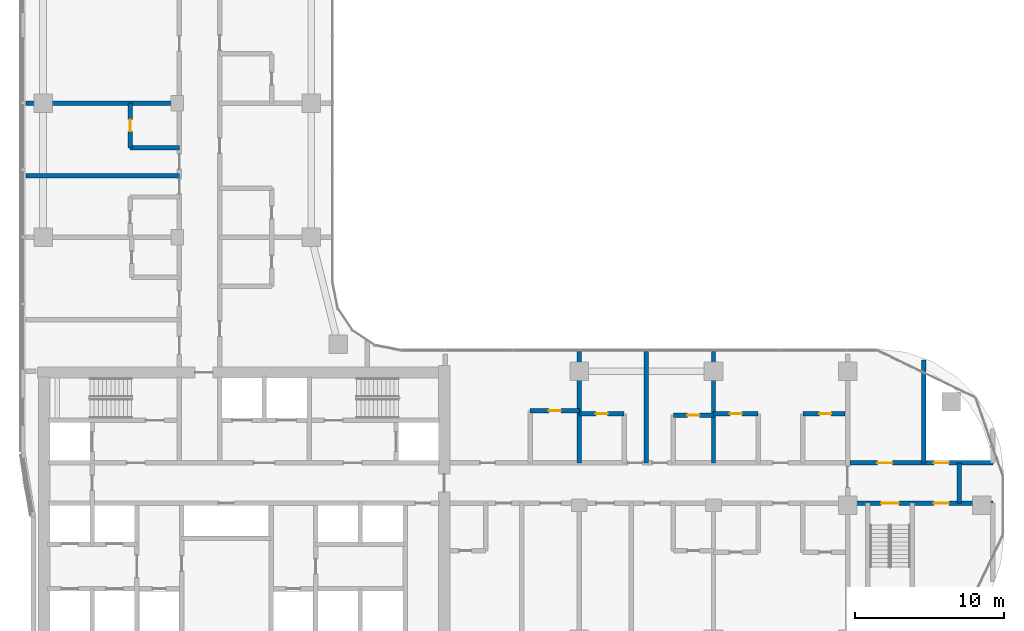
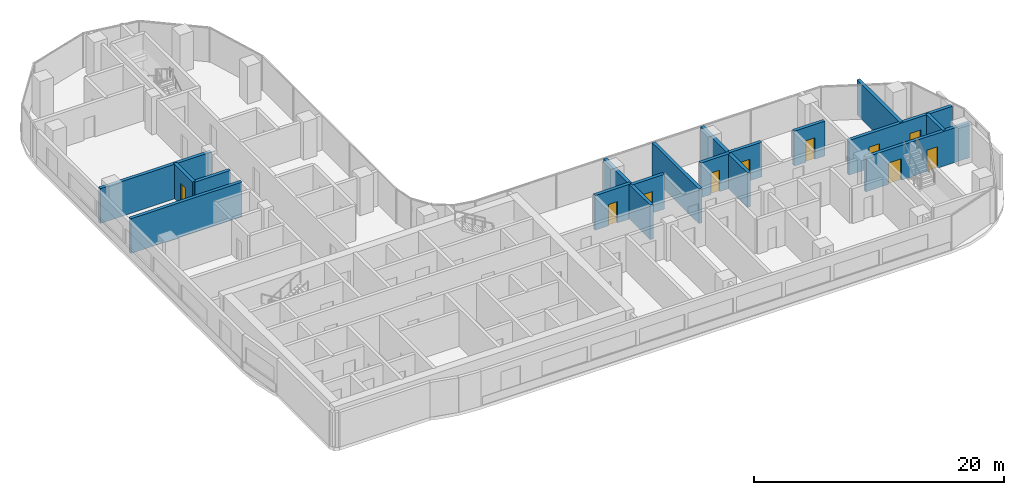
# One storey, part 12 of 22: 16 walls, 10 doors, 10 openings.
"""IFC4 building model written with IfcOpenShell, lengths in metres."""

import ifcopenshell
import ifcopenshell.guid

model = None  # the IFC model being written
_history = None  # IfcOwnerHistory: only IFC2X3 demands one
_inside = {}  # id of a spatial element -> (the spatial element, [elements in it])
_under = {}  # id of a project, library or spatial element -> (it, [spatial elements below it])
_declared = {}  # id of a project -> (the project, [libraries it declares])
_typed = {}  # id of a type object -> (the type object, [elements of that type])
_made_of = {}  # id of a material, layer set ... -> (it, [elements and type objects made of it])


def new_model(schema):
    """Start an empty IFC model of exactly this schema.

    Asked for "IFC4X3", IfcOpenShell would pick the latest addendum, in which some entities
    have other attributes; the version numbers below select the first issue.
    IFC2X3 requires an IfcOwnerHistory on every rooted entity: one is made here for all.
    """
    global model, _history
    if schema == "IFC4X3":
        model = ifcopenshell.file(schema_version=(4, 3, 0, 0))
    else:
        model = ifcopenshell.file(schema=schema)
    _inside.clear()
    _under.clear()
    _declared.clear()
    _typed.clear()
    _made_of.clear()
    _history = None
    if model.schema == "IFC2X3":
        org = make("IfcOrganization", Name="unknown")
        user = make(
            "IfcPersonAndOrganization",
            ThePerson=make("IfcPerson", FamilyName="unknown"),
            TheOrganization=org,
        )
        app = make(
            "IfcApplication",
            ApplicationDeveloper=org,
            Version="unknown",
            ApplicationFullName="unknown",
            ApplicationIdentifier="unknown",
        )
        _history = make(
            "IfcOwnerHistory",
            OwningUser=user,
            OwningApplication=app,
            ChangeAction="ADDED",
            CreationDate=0,
        )
    return model


def make(cls, **values):
    """One entity of the class cls with the attributes given. An attribute that is None is left unset."""
    return model.create_entity(
        cls, **{name: value for name, value in values.items() if value is not None}
    )


def rooted(cls, **values):
    """An entity with a GlobalId (a new one), such as an element, a storey or a relation."""
    return make(cls, GlobalId=ifcopenshell.guid.new(), OwnerHistory=_history, **values)


def si_unit(unit_type, name, prefix=None):
    """IfcSIUnit, for example si_unit("LENGTHUNIT", "METRE", prefix="MILLI")."""
    return make("IfcSIUnit", UnitType=unit_type, Prefix=prefix, Name=name)


def assignment(units):
    """IfcUnitAssignment: the units of a project."""
    return None if units is None else make("IfcUnitAssignment", Units=units)


def point(xyz):
    """IfcCartesianPoint."""
    return None if xyz is None else make("IfcCartesianPoint", Coordinates=xyz)


def direction(xyz):
    """IfcDirection."""
    return None if xyz is None else make("IfcDirection", DirectionRatios=xyz)


def frame(location, z_axis=None, x_axis=None):
    """IfcAxis2Placement3D, a coordinate frame: its origin and axes. An axis left out is left unset."""
    return make(
        "IfcAxis2Placement3D",
        Location=point(location),
        Axis=direction(z_axis),
        RefDirection=direction(x_axis),
    )


def frame_2d(location, x_axis=None):
    """IfcAxis2Placement2D, a coordinate frame in the plane: its origin and x axis."""
    return make(
        "IfcAxis2Placement2D", Location=point(location), RefDirection=direction(x_axis)
    )


def origin():
    """The frame at (0, 0, 0) with its axes left unset."""
    return frame((0.0, 0.0, 0.0))


def place(relative_to, where):
    """IfcLocalPlacement: puts the frame where relative to a parent placement (None: the world)."""
    return make(
        "IfcLocalPlacement", PlacementRelTo=relative_to, RelativePlacement=where
    )


def context(
    kind, dimensions, precision=None, world=None, true_north=None, identifier=None
):
    """IfcGeometricRepresentationContext, for example the 3D "Model" context."""
    return make(
        "IfcGeometricRepresentationContext",
        ContextIdentifier=identifier,
        ContextType=kind,
        CoordinateSpaceDimension=dimensions,
        Precision=precision,
        WorldCoordinateSystem=world,
        TrueNorth=true_north,
    )


def subcontext(parent, identifier, kind, view, scale=None):
    """IfcGeometricRepresentationSubContext, for example "Body" below "Model"."""
    return make(
        "IfcGeometricRepresentationSubContext",
        ContextIdentifier=identifier,
        ContextType=kind,
        ParentContext=parent,
        TargetScale=scale,
        TargetView=view,
    )


def project(units=None, contexts=None):
    """IfcProject with its units and contexts."""
    return rooted(
        "IfcProject",
        Name="project",
        RepresentationContexts=contexts,
        UnitsInContext=assignment(units),
    )


def spatial(cls, under=None, at=None, **own):
    """A site, building, storey or space (cls), placed at a placement, below another one or the project."""
    s = rooted(cls, ObjectPlacement=at, **own)
    if under is not None:
        _under.setdefault(under.id(), (under, []))[1].append(s)
    return s


def profile(cls, at=None, kind="AREA", **sizes):
    """A parametric profile (cls). Its sizes go by their IFC names, for example OverallWidth=200.0."""
    return make(cls, ProfileType=kind, Position=at, **sizes)


def rectangle(**sizes):
    """IfcRectangleProfileDef."""
    return profile("IfcRectangleProfileDef", **sizes)


def extrude(swept, where, along, depth):
    """IfcExtrudedAreaSolid: the profile swept, set in the frame where, extruded along a direction by depth."""
    return make(
        "IfcExtrudedAreaSolid",
        SweptArea=swept,
        Position=where,
        ExtrudedDirection=direction(along),
        Depth=depth,
    )


def shape(context_of_items, identifier, shape_type, items):
    """IfcShapeRepresentation: the items that make up one representation, for example the "Body"."""
    return make(
        "IfcShapeRepresentation",
        ContextOfItems=context_of_items,
        RepresentationIdentifier=identifier,
        RepresentationType=shape_type,
        Items=items,
    )


def material(Name=None, Category=None):
    """IfcMaterial."""
    return make("IfcMaterial", Name=Name, Category=Category)


def layer(
    of_material, thickness, ventilated=None, Name=None, Category=None, Priority=None
):
    """IfcMaterialLayer: one layer of a wall or slab, of a material (None: an air gap)."""
    return make(
        "IfcMaterialLayer",
        Material=of_material,
        LayerThickness=thickness,
        IsVentilated=ventilated,
        Name=Name,
        Category=Category,
        Priority=Priority,
    )


def layer_set(layers, Name=None):
    """IfcMaterialLayerSet."""
    return make("IfcMaterialLayerSet", MaterialLayers=layers, LayerSetName=Name)


def made_of(thing, what):
    """Note that an element or type object is made of a material, layer set ...; save() writes the relation."""
    if what is not None:
        _made_of.setdefault(what.id(), (what, []))[1].append(thing)
    return thing


def type_object(cls, material=None, **own):
    """A type object (cls), such as IfcWallType, which elements share."""
    return made_of(rooted(cls, **own), material)


def element(
    cls,
    number,
    at=None,
    inside=None,
    cuts=None,
    type_object=None,
    material=None,
    context=None,
    identifier="Body",
    shape_type=None,
    held_by="IfcProductDefinitionShape",
    body=None,
    shapes=None,
    **own,
):
    """One element of the class cls, such as IfcWall. Its Tag is "e" and its number.

    at: its placement. inside: the storey or other place that contains it. cuts: it is an
    opening in that element (IfcRelVoidsElement). A single representation is given by context,
    identifier, shape_type and body (its items); several are given by shapes. held_by: the class
    of the entity that holds the representations. save() writes the other relations.
    """
    e = rooted(cls, Tag="e%d" % number, ObjectPlacement=at, **own)
    if body is not None:
        shapes = [shape(context, identifier, shape_type, body)]
    if shapes is not None:
        e.Representation = make(held_by, Representations=shapes)
    if inside is not None:
        _inside.setdefault(inside.id(), (inside, []))[1].append(e)
    if cuts is not None:
        rooted(
            "IfcRelVoidsElement", RelatingBuildingElement=cuts, RelatedOpeningElement=e
        )
    if type_object is not None:
        _typed.setdefault(type_object.id(), (type_object, []))[1].append(e)
    return made_of(e, material)


def fill(opening, filler):
    """IfcRelFillsElement: the door or window that sits in an opening."""
    return rooted(
        "IfcRelFillsElement",
        RelatingOpeningElement=opening,
        RelatedBuildingElement=filler,
    )


def aggregate(whole, parts):
    """IfcRelAggregates: a whole, such as a stair, and the parts it consists of."""
    return rooted("IfcRelAggregates", RelatingObject=whole, RelatedObjects=parts)


def save(model, path):
    """Write the relations noted so far, then the file.

    IfcRelAggregates (storeys below a building ...), IfcRelContainedInSpatialStructure (elements
    in a storey), IfcRelDefinesByType, IfcRelAssociatesMaterial and IfcRelDeclares: one each for
    every whole, place, type object, material and project.
    """
    for whole, parts in _under.values():
        aggregate(whole, parts)
    for where, things in _inside.values():
        rooted(
            "IfcRelContainedInSpatialStructure",
            RelatedElements=things,
            RelatingStructure=where,
        )
    for kind, things in _typed.values():
        rooted("IfcRelDefinesByType", RelatedObjects=things, RelatingType=kind)
    for what, things in _made_of.values():
        rooted("IfcRelAssociatesMaterial", RelatedObjects=things, RelatingMaterial=what)
    for by, libraries in _declared.values():
        rooted("IfcRelDeclares", RelatingContext=by, RelatedDefinitions=libraries)
    model.write(path)


model = new_model("IFC4")

# Units and contexts
model_context = context("Model", 3, precision=1e-05, world=origin(), true_north=direction((0.0, 1.0)))
body_context = subcontext(model_context, "Body", "Model", "MODEL_VIEW")
ifc_project = project(units=[si_unit("LENGTHUNIT", "METRE"), si_unit("AREAUNIT", "SQUARE_METRE"), si_unit("VOLUMEUNIT", "CUBIC_METRE"), si_unit("PLANEANGLEUNIT", "RADIAN"), si_unit("MASSUNIT", "GRAM", prefix="KILO")], contexts=[model_context])

# Site, building, storey
site_placement = place(None, origin())
site = spatial("IfcSite", under=ifc_project, at=site_placement, CompositionType="ELEMENT")
building_placement = place(site_placement, origin())
building = spatial("IfcBuilding", under=site, at=building_placement, Name="Ogive Portal Towers", CompositionType="ELEMENT")
storey_placement = place(building_placement, frame((0.0, 0.0, 113.0)))
storey = spatial("IfcBuildingStorey", under=building, at=storey_placement, Name="L27", CompositionType="ELEMENT", Elevation=113.0)

# Wall, openings, doors
ifc_material_1 = material(Name="Concrete C50/60", Category="concrete")
ifc_layer_1 = layer(ifc_material_1, 0.300048828125)
ifc_layer_set_1 = layer_set([ifc_layer_1], Name="STAIR WALL 300 C50")
wall_type_1 = type_object("IfcWallType", Name="STAIR WALL 300 C50", PredefinedType="SHEAR", material=ifc_layer_set_1)
wall_1_placement = place(storey_placement, frame((85.669921875, 30.64990234375, 0.0), z_axis=(0.0, 0.0, 1.0), x_axis=(1.0, 0.0, 0.0)))
wall_1 = element("IfcWall", 1, at=wall_1_placement, inside=storey, type_object=wall_type_1, Name="Stair wall ST-A4 L27", PredefinedType="SHEAR", context=body_context, shape_type="SweptSolid", body=[
    extrude(rectangle(XDim=9.580078125, YDim=0.300048828125, at=frame_2d((4.7900390625, 0.0))), origin(), (0.0, 0.0, 1.0), 3.39990234375),
])
opening_1_placement = place(wall_1_placement, frame((2.080078125, 0.0, 0.0)))
opening_1 = element("IfcOpeningElement", 2, at=opening_1_placement, cuts=wall_1, Name="Opening D09-058", PredefinedType="OPENING", context=body_context, shape_type="SweptSolid", body=[
    extrude(rectangle(XDim=1.199951171875, YDim=2.10009765625, at=frame_2d((0.60009765625, 1.050048828125))), frame((0.0, 0.16015625, 0.0), z_axis=(0.0, -1.0, 0.0), x_axis=(1.0, 0.0, 0.0)), (0.0, 0.0, 1.0), 0.320068359375),
])
opening_2_placement = place(wall_1_placement, frame((5.6298828125, 0.0, 0.0)))
opening_2 = element("IfcOpeningElement", 3, at=opening_2_placement, cuts=wall_1, Name="Opening D09-061", PredefinedType="OPENING", context=body_context, shape_type="SweptSolid", body=[
    extrude(rectangle(XDim=1.0, YDim=2.10009765625, at=frame_2d((0.5, 1.050048828125))), frame((0.0, 0.16015625, 0.0), z_axis=(0.0, -1.0, 0.0), x_axis=(1.0, 0.0, 0.0)), (0.0, 0.0, 1.0), 0.320068359375),
])
ifc_material_2 = material(Name="Steel fire door", Category="steel")
door_type_1 = type_object("IfcDoorType", Name="DT-SERVICE-1000x2100-FD90S", OperationType="SINGLE_SWING_LEFT", PredefinedType="DOOR", material=ifc_material_2)
door_1_placement = place(opening_2_placement, origin())
door_1 = element("IfcDoor", 4, at=door_1_placement, inside=storey, type_object=door_type_1, Name="Door D09-061", OperationType="SINGLE_SWING_LEFT", OverallHeight=2.10009765625, OverallWidth=1.0, PredefinedType="DOOR", context=body_context, shape_type="SweptSolid", body=[
    extrude(rectangle(XDim=1.0, YDim=2.10009765625, at=frame_2d((0.5, 1.050048828125))), frame((0.0, 0.02490234375, 0.0), z_axis=(0.0, -1.0, 0.0), x_axis=(1.0, 0.0, 0.0)), (0.0, 0.0, 1.0), 0.050048828125),
])
fill(opening_2, door_1)
door_type_2 = type_object("IfcDoorType", Name="DT-STAIR-1200x2100-FD90S", OperationType="SINGLE_SWING_LEFT", PredefinedType="DOOR", material=ifc_material_2)
door_2_placement = place(opening_1_placement, origin())
door_2 = element("IfcDoor", 5, at=door_2_placement, inside=storey, type_object=door_type_2, Name="Door D09-058", OperationType="SINGLE_SWING_LEFT", OverallHeight=2.10009765625, OverallWidth=1.199951171875, PredefinedType="DOOR", context=body_context, shape_type="SweptSolid", body=[
    extrude(rectangle(XDim=1.199951171875, YDim=2.10009765625, at=frame_2d((0.60009765625, 1.050048828125))), frame((0.0, 0.02490234375, 0.0), z_axis=(0.0, -1.0, 0.0), x_axis=(1.0, 0.0, 0.0)), (0.0, 0.0, 1.0), 0.050048828125),
])
fill(opening_1, door_2)

ifc_material_3 = material(Name="Gypsum board partition on steel studs", Category="steel")
ifc_layer_2 = layer(ifc_material_3, 0.300048828125)
ifc_layer_set_2 = layer_set([ifc_layer_2], Name="WT-PART-300-EI 120")
wall_type_2 = type_object("IfcWallType", Name="WT-PART-300-EI 120", PredefinedType="PARTITIONING", material=ifc_layer_set_2)
wall_2_placement = place(storey_placement, frame((85.669921875, 33.35009765625, 0.0), z_axis=(0.0, 0.0, 1.0), x_axis=(1.0, 0.0, 0.0)))
wall_2 = element("IfcWall", 6, at=wall_2_placement, inside=storey, type_object=wall_type_2, Name="Wall L27:w009", PredefinedType="PARTITIONING", context=body_context, shape_type="SweptSolid", body=[
    extrude(rectangle(XDim=9.580078125, YDim=0.300048828125, at=frame_2d((4.7900390625, 0.0))), origin(), (0.0, 0.0, 1.0), 3.39990234375),
])
opening_3_placement = place(wall_2_placement, frame((1.830078125, 0.0, 0.0)))
opening_3 = element("IfcOpeningElement", 7, at=opening_3_placement, cuts=wall_2, Name="Opening D09-059", PredefinedType="OPENING", context=body_context, shape_type="SweptSolid", body=[
    extrude(rectangle(XDim=1.0, YDim=2.10009765625, at=frame_2d((0.5, 1.050048828125))), frame((0.0, 0.16015625, 0.0), z_axis=(0.0, -1.0, 0.0), x_axis=(1.0, 0.0, 0.0)), (0.0, 0.0, 1.0), 0.320068359375),
])
opening_4_placement = place(wall_2_placement, frame((5.6298828125, 0.0, 0.0)))
opening_4 = element("IfcOpeningElement", 8, at=opening_4_placement, cuts=wall_2, Name="Opening D09-060", PredefinedType="OPENING", context=body_context, shape_type="SweptSolid", body=[
    extrude(rectangle(XDim=1.0, YDim=2.10009765625, at=frame_2d((0.5, 1.050048828125))), frame((0.0, 0.16015625, 0.0), z_axis=(0.0, -1.0, 0.0), x_axis=(1.0, 0.0, 0.0)), (0.0, 0.0, 1.0), 0.320068359375),
])
door_3_placement = place(opening_3_placement, origin())
door_3 = element("IfcDoor", 9, at=door_3_placement, inside=storey, type_object=door_type_1, Name="Door D09-059", OperationType="SINGLE_SWING_LEFT", OverallHeight=2.10009765625, OverallWidth=1.0, PredefinedType="DOOR", context=body_context, shape_type="SweptSolid", body=[
    extrude(rectangle(XDim=1.0, YDim=2.10009765625, at=frame_2d((0.5, 1.050048828125))), frame((0.0, 0.02490234375, 0.0), z_axis=(0.0, -1.0, 0.0), x_axis=(1.0, 0.0, 0.0)), (0.0, 0.0, 1.0), 0.050048828125),
])
fill(opening_3, door_3)
door_4_placement = place(opening_4_placement, origin())
door_4 = element("IfcDoor", 10, at=door_4_placement, inside=storey, type_object=door_type_1, Name="Riser access door D09-060", OperationType="SINGLE_SWING_RIGHT", OverallHeight=2.10009765625, OverallWidth=1.0, PredefinedType="DOOR", context=body_context, shape_type="SweptSolid", body=[
    extrude(rectangle(XDim=1.0, YDim=2.10009765625, at=frame_2d((0.5, 1.050048828125))), frame((0.0, 0.02490234375, 0.0), z_axis=(0.0, -1.0, 0.0), x_axis=(1.0, 0.0, 0.0)), (0.0, 0.0, 1.0), 0.050048828125),
])
fill(opening_4, door_4)

# Wall
wall_3_placement = place(storey_placement, frame((93.0, 30.64990234375, 0.0), z_axis=(0.0, 0.0, 1.0), x_axis=(0.0, 1.0, 0.0)))
element("IfcWall", 11, at=wall_3_placement, inside=storey, type_object=wall_type_2, Name="Wall L27:w065", PredefinedType="PARTITIONING", context=body_context, shape_type="SweptSolid", body=[
    extrude(rectangle(XDim=2.7001953125, YDim=0.300048828125, at=frame_2d((1.35009765625, 0.0))), origin(), (0.0, 0.0, 1.0), 3.39990234375),
])

# Wall, opening, door
ifc_layer_3 = layer(ifc_material_3, 0.300048828125)
ifc_layer_set_3 = layer_set([ifc_layer_3], Name="WT-PART-300-EI 60")
wall_type_3 = type_object("IfcWallType", Name="WT-PART-300-EI 60", PredefinedType="PARTITIONING", material=ifc_layer_set_3)
wall_4_placement = place(storey_placement, frame((73.800048828125, 36.550048828125, 0.0), z_axis=(0.0, 0.0, 1.0), x_axis=(1.0, 0.0, 0.0)))
wall_4 = element("IfcWall", 12, at=wall_4_placement, inside=storey, type_object=wall_type_3, Name="Wall L27:w010", PredefinedType="PARTITIONING", context=body_context, shape_type="SweptSolid", body=[
    extrude(rectangle(XDim=2.699951171875, YDim=0.300048828125, at=frame_2d((1.35009765625, 0.0))), origin(), (0.0, 0.0, 1.0), 3.39990234375),
])
opening_5_placement = place(wall_4_placement, frame((0.949951171875, 0.0, 0.0)))
opening_5 = element("IfcOpeningElement", 13, at=opening_5_placement, cuts=wall_4, Name="Opening D09-031", PredefinedType="OPENING", context=body_context, shape_type="SweptSolid", body=[
    extrude(rectangle(XDim=0.800048828125, YDim=2.10009765625, at=frame_2d((0.39990234375, 1.050048828125))), frame((0.0, 0.16015625, 0.0), z_axis=(0.0, -1.0, 0.0), x_axis=(1.0, 0.0, 0.0)), (0.0, 0.0, 1.0), 0.320068359375),
])
door_type_3 = type_object("IfcDoorType", Name="DT-BATH-800x2100-FD60S", OperationType="SINGLE_SWING_LEFT", PredefinedType="DOOR", material=ifc_material_2)
door_5_placement = place(opening_5_placement, origin())
door_5 = element("IfcDoor", 14, at=door_5_placement, inside=storey, type_object=door_type_3, Name="Door D09-031", OperationType="SINGLE_SWING_RIGHT", OverallHeight=2.10009765625, OverallWidth=0.800048828125, PredefinedType="DOOR", context=body_context, shape_type="SweptSolid", body=[
    extrude(rectangle(XDim=0.800048828125, YDim=2.10009765625, at=frame_2d((0.39990234375, 1.050048828125))), frame((0.0, 0.02490234375, 0.0), z_axis=(0.0, -1.0, 0.0), x_axis=(1.0, 0.0, 0.0)), (0.0, 0.0, 1.0), 0.050048828125),
])
fill(opening_5, door_5)

wall_5_placement = place(storey_placement, frame((67.5, 36.64990234375, 0.0), z_axis=(0.0, 0.0, 1.0), x_axis=(1.0, 0.0, 0.0)))
wall_5 = element("IfcWall", 15, at=wall_5_placement, inside=storey, type_object=wall_type_3, Name="Wall L27:w011", PredefinedType="PARTITIONING", context=body_context, shape_type="SweptSolid", body=[
    extrude(rectangle(XDim=3.0, YDim=0.300048828125, at=frame_2d((1.5, 0.0))), origin(), (0.0, 0.0, 1.0), 3.39990234375),
])
opening_6_placement = place(wall_5_placement, frame((1.10009765625, 0.0, 0.0)))
opening_6 = element("IfcOpeningElement", 16, at=opening_6_placement, cuts=wall_5, Name="Opening D09-029", PredefinedType="OPENING", context=body_context, shape_type="SweptSolid", body=[
    extrude(rectangle(XDim=0.800048828125, YDim=2.10009765625, at=frame_2d((0.39990234375, 1.050048828125))), frame((0.0, 0.16015625, 0.0), z_axis=(0.0, -1.0, 0.0), x_axis=(1.0, 0.0, 0.0)), (0.0, 0.0, 1.0), 0.320068359375),
])
door_6_placement = place(opening_6_placement, origin())
door_6 = element("IfcDoor", 17, at=door_6_placement, inside=storey, type_object=door_type_3, Name="Door D09-029", OperationType="SINGLE_SWING_LEFT", OverallHeight=2.10009765625, OverallWidth=0.800048828125, PredefinedType="DOOR", context=body_context, shape_type="SweptSolid", body=[
    extrude(rectangle(XDim=0.800048828125, YDim=2.10009765625, at=frame_2d((0.39990234375, 1.050048828125))), frame((0.0, 0.02490234375, 0.0), z_axis=(0.0, -1.0, 0.0), x_axis=(1.0, 0.0, 0.0)), (0.0, 0.0, 1.0), 0.050048828125),
])
fill(opening_6, door_6)

wall_6_placement = place(storey_placement, frame((76.5, 36.64990234375, 0.0), z_axis=(0.0, 0.0, 1.0), x_axis=(1.0, 0.0, 0.0)))
wall_6 = element("IfcWall", 18, at=wall_6_placement, inside=storey, type_object=wall_type_3, Name="Wall L27:w012", PredefinedType="PARTITIONING", context=body_context, shape_type="SweptSolid", body=[
    extrude(rectangle(XDim=3.0, YDim=0.300048828125, at=frame_2d((1.5, 0.0))), origin(), (0.0, 0.0, 1.0), 3.39990234375),
])
opening_7_placement = place(wall_6_placement, frame((1.10009765625, 0.0, 0.0)))
opening_7 = element("IfcOpeningElement", 19, at=opening_7_placement, cuts=wall_6, Name="Opening D09-036", PredefinedType="OPENING", context=body_context, shape_type="SweptSolid", body=[
    extrude(rectangle(XDim=0.800048828125, YDim=2.10009765625, at=frame_2d((0.39990234375, 1.050048828125))), frame((0.0, 0.16015625, 0.0), z_axis=(0.0, -1.0, 0.0), x_axis=(1.0, 0.0, 0.0)), (0.0, 0.0, 1.0), 0.320068359375),
])
door_7_placement = place(opening_7_placement, origin())
door_7 = element("IfcDoor", 20, at=door_7_placement, inside=storey, type_object=door_type_3, Name="Door D09-036", OperationType="SINGLE_SWING_LEFT", OverallHeight=2.10009765625, OverallWidth=0.800048828125, PredefinedType="DOOR", context=body_context, shape_type="SweptSolid", body=[
    extrude(rectangle(XDim=0.800048828125, YDim=2.10009765625, at=frame_2d((0.39990234375, 1.050048828125))), frame((0.0, 0.02490234375, 0.0), z_axis=(0.0, -1.0, 0.0), x_axis=(1.0, 0.0, 0.0)), (0.0, 0.0, 1.0), 0.050048828125),
])
fill(opening_7, door_7)

wall_7_placement = place(storey_placement, frame((82.5, 36.64990234375, 0.0), z_axis=(0.0, 0.0, 1.0), x_axis=(1.0, 0.0, 0.0)))
wall_7 = element("IfcWall", 21, at=wall_7_placement, inside=storey, type_object=wall_type_3, Name="Wall L27:w013", PredefinedType="PARTITIONING", context=body_context, shape_type="SweptSolid", body=[
    extrude(rectangle(XDim=2.830078125, YDim=0.300048828125, at=frame_2d((1.4150390625, 0.0))), origin(), (0.0, 0.0, 1.0), 3.39990234375),
])
opening_8_placement = place(wall_7_placement, frame((1.10009765625, 0.0, 0.0)))
opening_8 = element("IfcOpeningElement", 22, at=opening_8_placement, cuts=wall_7, Name="Opening D09-037", PredefinedType="OPENING", context=body_context, shape_type="SweptSolid", body=[
    extrude(rectangle(XDim=0.800048828125, YDim=2.10009765625, at=frame_2d((0.39990234375, 1.050048828125))), frame((0.0, 0.16015625, 0.0), z_axis=(0.0, -1.0, 0.0), x_axis=(1.0, 0.0, 0.0)), (0.0, 0.0, 1.0), 0.320068359375),
])
door_8_placement = place(opening_8_placement, origin())
door_8 = element("IfcDoor", 23, at=door_8_placement, inside=storey, type_object=door_type_3, Name="Door D09-037", OperationType="SINGLE_SWING_RIGHT", OverallHeight=2.10009765625, OverallWidth=0.800048828125, PredefinedType="DOOR", context=body_context, shape_type="SweptSolid", body=[
    extrude(rectangle(XDim=0.800048828125, YDim=2.10009765625, at=frame_2d((0.39990234375, 1.050048828125))), frame((0.0, 0.02490234375, 0.0), z_axis=(0.0, -1.0, 0.0), x_axis=(1.0, 0.0, 0.0)), (0.0, 0.0, 1.0), 0.050048828125),
])
fill(opening_8, door_8)

wall_8_placement = place(storey_placement, frame((64.199951171875, 36.85009765625, 0.0), z_axis=(0.0, 0.0, 1.0), x_axis=(1.0, 0.0, 0.0)))
wall_8 = element("IfcWall", 24, at=wall_8_placement, inside=storey, type_object=wall_type_3, Name="Wall L27:w014", PredefinedType="PARTITIONING", context=body_context, shape_type="SweptSolid", body=[
    extrude(rectangle(XDim=3.300048828125, YDim=0.300048828125, at=frame_2d((1.64990234375, 0.0))), origin(), (0.0, 0.0, 1.0), 3.39990234375),
])
opening_9_placement = place(wall_8_placement, frame((1.25, 0.0, 0.0)))
opening_9 = element("IfcOpeningElement", 25, at=opening_9_placement, cuts=wall_8, Name="Opening D09-024", PredefinedType="OPENING", context=body_context, shape_type="SweptSolid", body=[
    extrude(rectangle(XDim=0.800048828125, YDim=2.10009765625, at=frame_2d((0.39990234375, 1.050048828125))), frame((0.0, 0.16015625, 0.0), z_axis=(0.0, -1.0, 0.0), x_axis=(1.0, 0.0, 0.0)), (0.0, 0.0, 1.0), 0.320068359375),
])
door_9_placement = place(opening_9_placement, origin())
door_9 = element("IfcDoor", 26, at=door_9_placement, inside=storey, type_object=door_type_3, Name="Door D09-024", OperationType="SINGLE_SWING_LEFT", OverallHeight=2.10009765625, OverallWidth=0.800048828125, PredefinedType="DOOR", context=body_context, shape_type="SweptSolid", body=[
    extrude(rectangle(XDim=0.800048828125, YDim=2.10009765625, at=frame_2d((0.39990234375, 1.050048828125))), frame((0.0, 0.02490234375, 0.0), z_axis=(0.0, -1.0, 0.0), x_axis=(1.0, 0.0, 0.0)), (0.0, 0.0, 1.0), 0.050048828125),
])
fill(opening_9, door_9)

# Walls
wall_9_placement = place(storey_placement, frame((30.35009765625, 52.639892578125, 0.0), z_axis=(0.0, 0.0, 1.0), x_axis=(1.0, 0.0, 0.0)))
element("IfcWall", 27, at=wall_9_placement, inside=storey, type_object=wall_type_3, Name="Wall L27:w023", PredefinedType="PARTITIONING", context=body_context, shape_type="SweptSolid", body=[
    extrude(rectangle(XDim=10.2998046875, YDim=0.300048828125, at=frame_2d((5.14990234375, 0.0))), origin(), (0.0, 0.0, 1.0), 3.39990234375),
])
wall_10_placement = place(storey_placement, frame((37.35009765625, 54.5, 0.0), z_axis=(0.0, 0.0, 1.0), x_axis=(1.0, 0.0, 0.0)))
element("IfcWall", 28, at=wall_10_placement, inside=storey, type_object=wall_type_3, Name="Wall L27:w024", PredefinedType="PARTITIONING", context=body_context, shape_type="SweptSolid", body=[
    extrude(rectangle(XDim=3.2998046875, YDim=0.300048828125, at=frame_2d((1.64990234375, 0.0))), origin(), (0.0, 0.0, 1.0), 3.39990234375),
])
wall_11_placement = place(storey_placement, frame((30.35009765625, 57.5, 0.0), z_axis=(0.0, 0.0, 1.0), x_axis=(1.0, 0.0, 0.0)))
element("IfcWall", 29, at=wall_11_placement, inside=storey, type_object=wall_type_3, Name="Wall L27:w025", PredefinedType="PARTITIONING", context=body_context, shape_type="SweptSolid", body=[
    extrude(rectangle(XDim=10.2998046875, YDim=0.300048828125, at=frame_2d((5.14990234375, 0.0))), origin(), (0.0, 0.0, 1.0), 3.39990234375),
])

# Wall, opening, door
wall_12_placement = place(storey_placement, frame((37.35009765625, 54.5, 0.0), z_axis=(0.0, 0.0, 1.0), x_axis=(0.0, 1.0, 0.0)))
wall_12 = element("IfcWall", 30, at=wall_12_placement, inside=storey, type_object=wall_type_3, Name="Wall L27:w034", PredefinedType="PARTITIONING", context=body_context, shape_type="SweptSolid", body=[
    extrude(rectangle(XDim=3.0, YDim=0.300048828125, at=frame_2d((1.5, 0.0))), origin(), (0.0, 0.0, 1.0), 3.39990234375),
])
opening_10_placement = place(wall_12_placement, frame((1.10009765625, 0.0, 0.0)))
opening_10 = element("IfcOpeningElement", 31, at=opening_10_placement, cuts=wall_12, Name="Opening D09-051", PredefinedType="OPENING", context=body_context, shape_type="SweptSolid", body=[
    extrude(rectangle(XDim=0.800048828125, YDim=2.10009765625, at=frame_2d((0.39990234375, 1.050048828125))), frame((0.0, 0.16015625, 0.0), z_axis=(0.0, -1.0, 0.0), x_axis=(1.0, 0.0, 0.0)), (0.0, 0.0, 1.0), 0.320068359375),
])
door_10_placement = place(opening_10_placement, origin())
door_10 = element("IfcDoor", 32, at=door_10_placement, inside=storey, type_object=door_type_3, Name="Door D09-051", OperationType="SINGLE_SWING_LEFT", OverallHeight=2.10009765625, OverallWidth=0.800048828125, PredefinedType="DOOR", context=body_context, shape_type="SweptSolid", body=[
    extrude(rectangle(XDim=0.800048828125, YDim=2.10009765625, at=frame_2d((0.39990234375, 1.050048828125))), frame((0.0, 0.02490234375, 0.0), z_axis=(0.0, -1.0, 0.0), x_axis=(1.0, 0.0, 0.0)), (0.0, 0.0, 1.0), 0.050048828125),
])
fill(opening_10, door_10)

# Walls
for number, where, z_axis, x_axis, name in (
    (33, (67.5, 33.35009765625, 0.0), (0.0, 0.0, 1.0), (0.0, 1.0, 0.0), "Wall L27:w050"),
    (34, (72.0, 33.35009765625, 0.0), (0.0, 0.0, 1.0), (0.0, 1.0, 0.0), "Wall L27:w053"),
    (35, (76.5, 33.35009765625, 0.0), (0.0, 0.0, 1.0), (0.0, 1.0, 0.0), "Wall L27:w057"),
):
    element("IfcWall", number, at=place(storey_placement, frame(where, z_axis=z_axis, x_axis=x_axis)), inside=storey, type_object=wall_type_3, Name=name, PredefinedType="PARTITIONING", context=body_context, shape_type="SweptSolid", body=[
        extrude(rectangle(XDim=7.47998046875, YDim=0.300048828125, at=frame_2d((3.739990234375, 0.0))), origin(), (0.0, 0.0, 1.0), 3.39990234375),
    ])
wall_13_placement = place(storey_placement, frame((90.60009765625, 33.35009765625, 0.0), z_axis=(0.0, 0.0, 1.0), x_axis=(0.0, 1.0, 0.0)))
element("IfcWall", 36, at=wall_13_placement, inside=storey, type_object=wall_type_3, Name="Wall L27:w064", PredefinedType="PARTITIONING", context=body_context, shape_type="SweptSolid", body=[
    extrude(rectangle(XDim=6.89794921875, YDim=0.300048828125, at=frame_2d((3.448974609375, 0.0))), origin(), (0.0, 0.0, 1.0), 3.39990234375),
])

save(model, "model.ifc")
